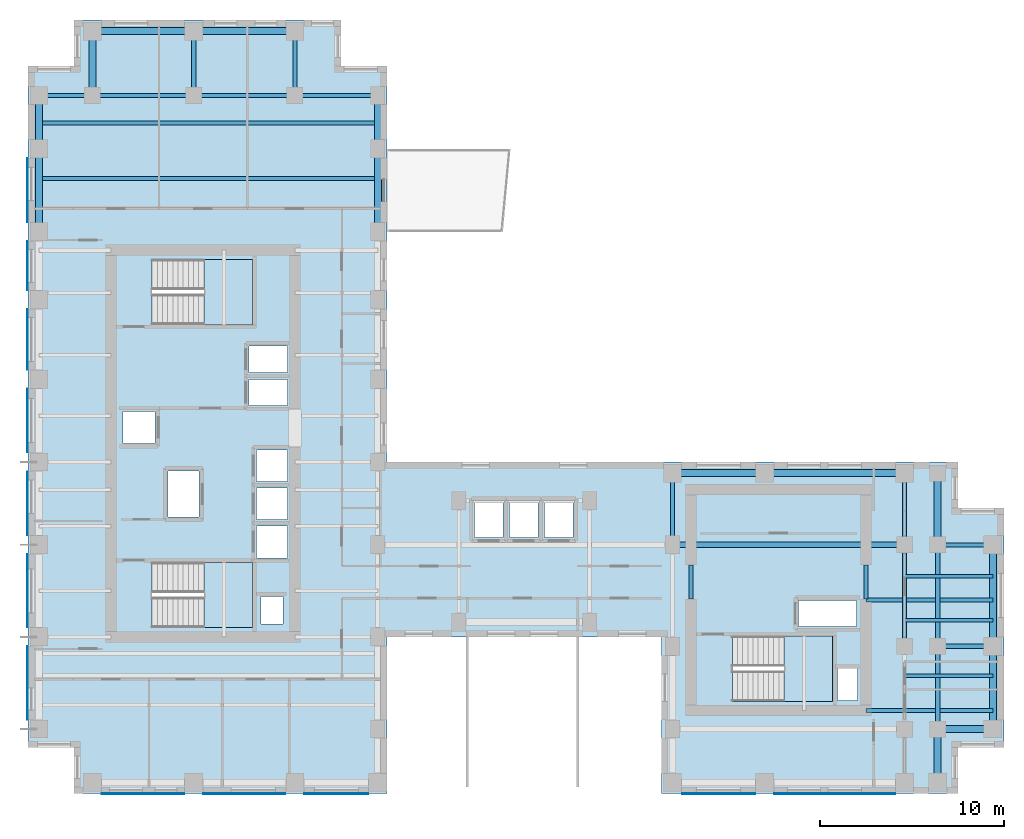
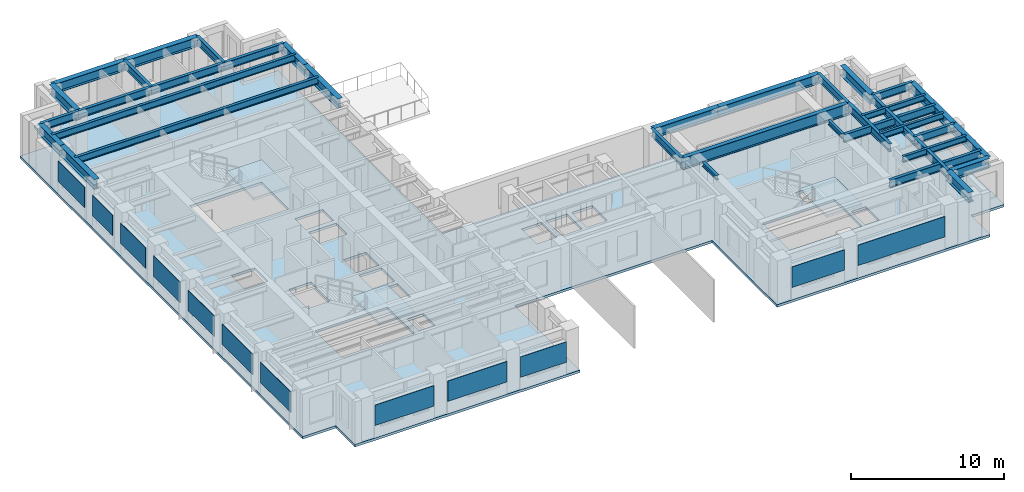
# One storey, part 2 of 11: 37 beams, 12 plates, 4 slabs, 3 elements without a shape of their own.
"""IFC4 building model written with IfcOpenShell, lengths in metres."""

from ifc_helpers import new_model, si_unit, direction, frame, origin, origin_2d, place, context, subcontext, project, spatial, polyline, rectangle, i_section, outline, extrude, source, transform, mapped, material, layer, layer_set, material_profile, profile_set, type_object, element, aggregate, save


model = new_model("IFC4")

# Units and contexts
model_context = context("Model", 3, precision=1e-05, world=origin(), true_north=direction((0.0, 1.0)))
body_context = subcontext(model_context, "Body", "Model", "MODEL_VIEW")
ifc_project = project(units=[si_unit("LENGTHUNIT", "METRE"), si_unit("AREAUNIT", "SQUARE_METRE"), si_unit("VOLUMEUNIT", "CUBIC_METRE"), si_unit("PLANEANGLEUNIT", "RADIAN"), si_unit("MASSUNIT", "GRAM", prefix="KILO")], contexts=[model_context])

# Site, building, storey
site_placement = place(None, origin())
site = spatial("IfcSite", under=ifc_project, at=site_placement, CompositionType="ELEMENT")
building_placement = place(site_placement, origin())
building = spatial("IfcBuilding", under=site, at=building_placement, Name="Kharzan Plaza Tower", CompositionType="ELEMENT")
storey_placement = place(building_placement, frame((0.0, 0.0, 200.699951171875)))
storey = spatial("IfcBuildingStorey", under=building, at=storey_placement, Name="L54", CompositionType="ELEMENT", Elevation=200.699951171875)

# Beams
ifc_material_1 = material(Name="Steel S355", Category="steel")
ifc_material_profile_1 = material_profile(ifc_material_1, i_section(OverallWidth=0.205078125, OverallDepth=0.35400390625, WebThickness=0.009521484375, FlangeThickness=0.016845703125, at=origin_2d()), Name="W360x79")
ifc_profile_set_1 = profile_set([ifc_material_profile_1], Name="Steel S355")
beam_type_1 = type_object("IfcBeamType", Name="BM-LNT360", PredefinedType="LINTEL", material=ifc_profile_set_1)
shared_shape_1 = source(origin(), body_context, "Body", "SweptSolid", [
    extrude(i_section(OverallWidth=0.205078125, OverallDepth=0.35400390625, WebThickness=0.009521484375, FlangeThickness=0.016845703125, at=origin_2d()), origin(), (0.0, 0.0, 1.0), 1.849853515625),
])
for number, where, z_axis, x_axis, name in (
    (1, (45.5, 10.550048828125, 3.22314453125), (0.0, 1.0, 0.0), (-1.0, 0.0, 0.0), "L54 CORE-B coupling lintel LN1-WE"),
    (2, (36.0, 10.550048828125, 3.22314453125), (0.0, 1.0, 0.0), (-1.0, 0.0, 0.0), "L54 CORE-B coupling lintel LN1-WW"),
):
    element("IfcBeam", number, at=place(storey_placement, frame(where, z_axis=z_axis, x_axis=x_axis)), inside=storey, type_object=beam_type_1, Name=name, PredefinedType="LINTEL", context=body_context, shape_type="MappedRepresentation", body=[
        mapped(shared_shape_1, transform((0.0, 0.0, 0.0), x_axis=(1.0, 0.0, 0.0), y_axis=(0.0, 1.0, 0.0), z_axis=(0.0, 0.0, 1.0))),
    ])
ifc_material_profile_2 = material_profile(ifc_material_1, i_section(OverallWidth=0.304931640625, OverallDepth=0.9189453125, WebThickness=0.017333984375, FlangeThickness=0.02783203125, at=origin_2d()), Name="W920x253")
ifc_profile_set_2 = profile_set([ifc_material_profile_2], Name="Steel S355")
beam_type_2 = type_object("IfcBeamType", Name="BM-FG920B", PredefinedType="BEAM", material=ifc_profile_set_2)
shared_shape_2 = source(origin(), body_context, "Body", "SweptSolid", [
    extrude(i_section(OverallWidth=0.304931640625, OverallDepth=0.9189453125, WebThickness=0.017333984375, FlangeThickness=0.02783203125, at=origin_2d()), origin(), (0.0, 0.0, 1.0), 12.60009765625),
])
beam_1_placement = place(storey_placement, frame((35.0, 13.5, 2.9404296875), z_axis=(1.0, 0.0, 0.0), x_axis=(0.0, 1.0, 0.0)))
element("IfcBeam", 3, at=beam_1_placement, inside=storey, type_object=beam_type_2, Name="L54 Primary Floor Girder", PredefinedType="BEAM", context=body_context, shape_type="MappedRepresentation", body=[
    mapped(shared_shape_2, transform((0.0, 0.0, 0.0), x_axis=(1.0, 0.0, 0.0), y_axis=(0.0, 1.0, 0.0), z_axis=(0.0, 0.0, 1.0))),
])
ifc_material_profile_3 = material_profile(ifc_material_1, i_section(OverallWidth=0.2099609375, OverallDepth=0.537109375, WebThickness=0.010986328125, FlangeThickness=0.017333984375, at=origin_2d()), Name="W530x101")
ifc_profile_set_3 = profile_set([ifc_material_profile_3], Name="Steel S355")
beam_type_3 = type_object("IfcBeamType", Name="BM-JST530B", PredefinedType="JOIST", material=ifc_profile_set_3)
shared_shape_3 = source(origin(), body_context, "Body", "SweptSolid", [
    extrude(i_section(OverallWidth=0.2099609375, OverallDepth=0.537109375, WebThickness=0.010986328125, FlangeThickness=0.017333984375, at=origin_2d()), origin(), (0.0, 0.0, 1.0), 18.39990234375),
])
for number, where, z_axis, x_axis, name in (
    (4, (0.60009765625, 33.39990234375, 3.131591796875), (1.0, 0.0, 0.0), (0.0, 1.0, 0.0), "L54 Wing A Composite Joist 05"),
    (5, (0.60009765625, 36.39990234375, 3.131591796875), (1.0, 0.0, 0.0), (0.0, 1.0, 0.0), "L54 Wing A Composite Joist 06"),
):
    element("IfcBeam", number, at=place(storey_placement, frame(where, z_axis=z_axis, x_axis=x_axis)), inside=storey, type_object=beam_type_3, Name=name, PredefinedType="JOIST", context=body_context, shape_type="MappedRepresentation", body=[
        mapped(shared_shape_3, transform((0.0, 0.0, 0.0), x_axis=(1.0, 0.0, 0.0), y_axis=(0.0, 1.0, 0.0), z_axis=(0.0, 0.0, 1.0))),
    ])
ifc_material_profile_4 = material_profile(ifc_material_1, i_section(OverallWidth=0.22900390625, OverallDepth=0.612060546875, WebThickness=0.011962890625, FlangeThickness=0.01953125, at=origin_2d()), Name="W610x125")
ifc_profile_set_4 = profile_set([ifc_material_profile_4], Name="Steel S355")
beam_type_4 = type_object("IfcBeamType", Name="BM-FG610B", PredefinedType="BEAM", material=ifc_profile_set_4)
shared_shape_4 = source(origin(), body_context, "Body", "SweptSolid", [
    extrude(i_section(OverallWidth=0.22900390625, OverallDepth=0.612060546875, WebThickness=0.011962890625, FlangeThickness=0.01953125, at=origin_2d()), origin(), (0.0, 0.0, 1.0), 4.5),
])
for number, where, z_axis, x_axis, name in (
    (6, (49.39990234375, 3.5, 3.093994140625), (0.0, 1.0, 0.0), (-1.0, 0.0, 0.0), "L54 Interior Frame Girder"),
    (7, (14.5, 37.89990234375, 3.093994140625), (1.0, 0.0, 0.0), (0.0, 1.0, 0.0), "L54 Primary Floor Girder"),
):
    element("IfcBeam", number, at=place(storey_placement, frame(where, z_axis=z_axis, x_axis=x_axis)), inside=storey, type_object=beam_type_4, Name=name, PredefinedType="BEAM", context=body_context, shape_type="MappedRepresentation", body=[
        mapped(shared_shape_4, transform((0.0, 0.0, 0.0), x_axis=(1.0, 0.0, 0.0), y_axis=(0.0, 1.0, 0.0), z_axis=(0.0, 0.0, 1.0))),
    ])
shared_shape_5 = source(origin(), body_context, "Body", "SweptSolid", [
    extrude(i_section(OverallWidth=0.22900390625, OverallDepth=0.612060546875, WebThickness=0.011962890625, FlangeThickness=0.01953125, at=origin_2d()), origin(), (0.0, 0.0, 1.0), 3.89990234375),
])
for number, where, z_axis, x_axis, name in (
    (8, (35.0, 13.5, 3.093994140625), (0.0, 1.0, 0.0), (-1.0, 0.0, 0.0), "L54 Interior Frame Girder"),
    (9, (47.60009765625, 13.5, 3.093994140625), (0.0, 1.0, 0.0), (-1.0, 0.0, 0.0), "L54 Interior Frame Girder"),
):
    element("IfcBeam", number, at=place(storey_placement, frame(where, z_axis=z_axis, x_axis=x_axis)), inside=storey, type_object=beam_type_4, Name=name, PredefinedType="BEAM", context=body_context, shape_type="MappedRepresentation", body=[
        mapped(shared_shape_5, transform((0.0, 0.0, 0.0), x_axis=(1.0, 0.0, 0.0), y_axis=(0.0, 1.0, 0.0), z_axis=(0.0, 0.0, 1.0))),
    ])
shared_shape_6 = source(origin(), body_context, "Body", "SweptSolid", [
    extrude(i_section(OverallWidth=0.22900390625, OverallDepth=0.612060546875, WebThickness=0.011962890625, FlangeThickness=0.01953125, at=origin_2d()), origin(), (0.0, 0.0, 1.0), 6.89990234375),
])
for number, where, z_axis, x_axis, name in (
    (10, (45.5, 4.5, 3.093994140625), (1.0, 0.0, 0.0), (0.0, 1.0, 0.0), "L54 Core-B East Floor Girder 1"),
    (11, (45.5, 10.5, 3.093994140625), (1.0, 0.0, 0.0), (0.0, 1.0, 0.0), "L54 Core-B East Floor Girder 2"),
):
    element("IfcBeam", number, at=place(storey_placement, frame(where, z_axis=z_axis, x_axis=x_axis)), inside=storey, type_object=beam_type_4, Name=name, PredefinedType="BEAM", context=body_context, shape_type="MappedRepresentation", body=[
        mapped(shared_shape_6, transform((0.0, 0.0, 0.0), x_axis=(1.0, 0.0, 0.0), y_axis=(0.0, 1.0, 0.0), z_axis=(0.0, 0.0, 1.0))),
    ])
shared_shape_7 = source(origin(), body_context, "Body", "SweptSolid", [
    extrude(i_section(OverallWidth=0.22900390625, OverallDepth=0.612060546875, WebThickness=0.011962890625, FlangeThickness=0.01953125, at=origin_2d()), origin(), (0.0, 0.0, 1.0), 3.5),
])
for number, where, z_axis, x_axis, name in (
    (12, (9.0, 37.89990234375, 3.093994140625), (0.0, 1.0, 0.0), (-1.0, 0.0, 0.0), "L54 Interior Frame Girder"),
    (13, (14.5, 37.89990234375, 3.093994140625), (0.0, 1.0, 0.0), (-1.0, 0.0, 0.0), "L54 Interior Frame Girder"),
):
    element("IfcBeam", number, at=place(storey_placement, frame(where, z_axis=z_axis, x_axis=x_axis)), inside=storey, type_object=beam_type_4, Name=name, PredefinedType="BEAM", context=body_context, shape_type="MappedRepresentation", body=[
        mapped(shared_shape_7, transform((0.0, 0.0, 0.0), x_axis=(1.0, 0.0, 0.0), y_axis=(0.0, 1.0, 0.0), z_axis=(0.0, 0.0, 1.0))),
    ])
shared_shape_8 = source(origin(), body_context, "Body", "SweptSolid", [
    extrude(i_section(OverallWidth=0.22900390625, OverallDepth=0.612060546875, WebThickness=0.011962890625, FlangeThickness=0.01953125, at=origin_2d()), origin(), (0.0, 0.0, 1.0), 5.5),
])
for number, where, z_axis, x_axis, name in (
    (14, (47.60009765625, 8.0, 3.093994140625), (0.0, 1.0, 0.0), (-1.0, 0.0, 0.0), "L54 Interior Frame Girder"),
    (15, (49.39990234375, 8.0, 3.093994140625), (0.0, 1.0, 0.0), (-1.0, 0.0, 0.0), "L54 Interior Frame Girder"),
    (16, (3.5, 37.89990234375, 3.093994140625), (1.0, 0.0, 0.0), (0.0, 1.0, 0.0), "L54 Primary Floor Girder"),
    (17, (9.0, 37.89990234375, 3.093994140625), (1.0, 0.0, 0.0), (0.0, 1.0, 0.0), "L54 Primary Floor Girder"),
):
    element("IfcBeam", number, at=place(storey_placement, frame(where, z_axis=z_axis, x_axis=x_axis)), inside=storey, type_object=beam_type_4, Name=name, PredefinedType="BEAM", context=body_context, shape_type="MappedRepresentation", body=[
        mapped(shared_shape_8, transform((0.0, 0.0, 0.0), x_axis=(1.0, 0.0, 0.0), y_axis=(0.0, 1.0, 0.0), z_axis=(0.0, 0.0, 1.0))),
    ])
shared_shape_9 = source(origin(), body_context, "Body", "SweptSolid", [
    extrude(i_section(OverallWidth=0.22900390625, OverallDepth=0.612060546875, WebThickness=0.011962890625, FlangeThickness=0.01953125, at=origin_2d()), origin(), (0.0, 0.0, 1.0), 2.89990234375),
])
beam_2_placement = place(storey_placement, frame((0.60009765625, 37.89990234375, 3.093994140625), z_axis=(1.0, 0.0, 0.0), x_axis=(0.0, 1.0, 0.0)))
element("IfcBeam", 18, at=beam_2_placement, inside=storey, type_object=beam_type_4, Name="L54 Primary Floor Girder", PredefinedType="BEAM", context=body_context, shape_type="MappedRepresentation", body=[
    mapped(shared_shape_9, transform((0.0, 0.0, 0.0), x_axis=(1.0, 0.0, 0.0), y_axis=(0.0, 1.0, 0.0), z_axis=(0.0, 0.0, 1.0))),
])
shared_shape_10 = source(origin(), body_context, "Body", "SweptSolid", [
    extrude(i_section(OverallWidth=0.22900390625, OverallDepth=0.612060546875, WebThickness=0.011962890625, FlangeThickness=0.01953125, at=origin_2d()), origin(), (0.0, 0.0, 1.0), 3.0),
])
for number, where, z_axis, x_axis, name in (
    (19, (49.39990234375, 8.0, 3.093994140625), (1.0, 0.0, 0.0), (0.0, 1.0, 0.0), "L54 Primary Floor Girder"),
    (20, (49.39990234375, 13.5, 3.093994140625), (1.0, 0.0, 0.0), (0.0, 1.0, 0.0), "L54 Primary Floor Girder"),
):
    element("IfcBeam", number, at=place(storey_placement, frame(where, z_axis=z_axis, x_axis=x_axis)), inside=storey, type_object=beam_type_4, Name=name, PredefinedType="BEAM", context=body_context, shape_type="MappedRepresentation", body=[
        mapped(shared_shape_10, transform((0.0, 0.0, 0.0), x_axis=(1.0, 0.0, 0.0), y_axis=(0.0, 1.0, 0.0), z_axis=(0.0, 0.0, 1.0))),
    ])
ifc_material_profile_5 = material_profile(ifc_material_1, i_section(OverallWidth=0.194091796875, OverallDepth=0.468994140625, WebThickness=0.011474609375, FlangeThickness=0.0205078125, at=origin_2d()), Name="W460x106")
ifc_profile_set_5 = profile_set([ifc_material_profile_5], Name="Steel S355")
beam_type_5 = type_object("IfcBeamType", Name="BM-JST460", PredefinedType="JOIST", material=ifc_profile_set_5)
shared_shape_11 = source(origin(), body_context, "Body", "SweptSolid", [
    extrude(i_section(OverallWidth=0.194091796875, OverallDepth=0.468994140625, WebThickness=0.011474609375, FlangeThickness=0.0205078125, at=origin_2d()), origin(), (0.0, 0.0, 1.0), 4.7998046875),
])
for number, where, z_axis, x_axis, name in (
    (21, (47.60009765625, 6.39990234375, 3.16552734375), (1.0, 0.0, 0.0), (0.0, 1.0, 0.0), "L54 Wing B Composite Joist 02"),
    (22, (47.60009765625, 9.39990234375, 3.16552734375), (1.0, 0.0, 0.0), (0.0, 1.0, 0.0), "L54 Wing B Composite Joist 03"),
    (23, (47.60009765625, 11.800048828125, 3.16552734375), (1.0, 0.0, 0.0), (0.0, 1.0, 0.0), "L54 Wing B Composite Joist 04"),
):
    element("IfcBeam", number, at=place(storey_placement, frame(where, z_axis=z_axis, x_axis=x_axis)), inside=storey, type_object=beam_type_5, Name=name, PredefinedType="JOIST", context=body_context, shape_type="MappedRepresentation", body=[
        mapped(shared_shape_11, transform((0.0, 0.0, 0.0), x_axis=(1.0, 0.0, 0.0), y_axis=(0.0, 1.0, 0.0), z_axis=(0.0, 0.0, 1.0))),
    ])
ifc_material_profile_6 = material_profile(ifc_material_1, i_section(OverallWidth=0.381103515625, OverallDepth=0.77294921875, WebThickness=0.0166015625, FlangeThickness=0.027587890625, at=origin_2d()), Name="W760x257")
ifc_profile_set_6 = profile_set([ifc_material_profile_6], Name="Steel S355")
beam_type_6 = type_object("IfcBeamType", Name="BM-SP760A", PredefinedType="SPANDREL", material=ifc_profile_set_6)
shared_shape_12 = source(origin(), body_context, "Body", "SweptSolid", [
    extrude(i_section(OverallWidth=0.381103515625, OverallDepth=0.77294921875, WebThickness=0.0166015625, FlangeThickness=0.027587890625, at=origin_2d()), origin(), (0.0, 0.0, 1.0), 5.0),
])
beam_3_placement = place(storey_placement, frame((35.0, 17.39990234375, 3.013427734375), z_axis=(1.0, 0.0, 0.0), x_axis=(0.0, 1.0, 0.0)))
element("IfcBeam", 24, at=beam_3_placement, inside=storey, type_object=beam_type_6, Name="L54 Perimeter Tube Spandrel", PredefinedType="SPANDREL", context=body_context, shape_type="MappedRepresentation", body=[
    mapped(shared_shape_12, transform((0.0, 0.0, 0.0), x_axis=(1.0, 0.0, 0.0), y_axis=(0.0, 1.0, 0.0), z_axis=(0.0, 0.0, 1.0))),
])
shared_shape_13 = source(origin(), body_context, "Body", "SweptSolid", [
    extrude(i_section(OverallWidth=0.381103515625, OverallDepth=0.77294921875, WebThickness=0.0166015625, FlangeThickness=0.027587890625, at=origin_2d()), origin(), (0.0, 0.0, 1.0), 4.5),
])
for number, where, z_axis, x_axis, name in (
    (25, (0.60009765625, 30.5, 3.013427734375), (0.0, 1.0, 0.0), (-1.0, 0.0, 0.0), "L54 Perimeter Tube Spandrel"),
    (26, (19.0, 30.5, 3.013427734375), (0.0, 1.0, 0.0), (-1.0, 0.0, 0.0), "L54 Perimeter Tube Spandrel"),
    (27, (52.39990234375, 3.5, 3.013427734375), (0.0, 1.0, 0.0), (-1.0, 0.0, 0.0), "L54 Perimeter Tube Spandrel"),
):
    element("IfcBeam", number, at=place(storey_placement, frame(where, z_axis=z_axis, x_axis=x_axis)), inside=storey, type_object=beam_type_6, Name=name, PredefinedType="SPANDREL", context=body_context, shape_type="MappedRepresentation", body=[
        mapped(shared_shape_13, transform((0.0, 0.0, 0.0), x_axis=(1.0, 0.0, 0.0), y_axis=(0.0, 1.0, 0.0), z_axis=(0.0, 0.0, 1.0))),
    ])
shared_shape_14 = source(origin(), body_context, "Body", "SweptSolid", [
    extrude(i_section(OverallWidth=0.381103515625, OverallDepth=0.77294921875, WebThickness=0.0166015625, FlangeThickness=0.027587890625, at=origin_2d()), origin(), (0.0, 0.0, 1.0), 2.89990234375),
])
for number, where, z_axis, x_axis, name in (
    (28, (0.60009765625, 35.0, 3.013427734375), (0.0, 1.0, 0.0), (-1.0, 0.0, 0.0), "L54 Perimeter Tube Spandrel"),
    (29, (19.0, 35.0, 3.013427734375), (0.0, 1.0, 0.0), (-1.0, 0.0, 0.0), "L54 Perimeter Tube Spandrel"),
    (30, (49.39990234375, 0.60009765625, 3.013427734375), (0.0, 1.0, 0.0), (-1.0, 0.0, 0.0), "L54 Perimeter Tube Spandrel"),
):
    element("IfcBeam", number, at=place(storey_placement, frame(where, z_axis=z_axis, x_axis=x_axis)), inside=storey, type_object=beam_type_6, Name=name, PredefinedType="SPANDREL", context=body_context, shape_type="MappedRepresentation", body=[
        mapped(shared_shape_14, transform((0.0, 0.0, 0.0), x_axis=(1.0, 0.0, 0.0), y_axis=(0.0, 1.0, 0.0), z_axis=(0.0, 0.0, 1.0))),
    ])
shared_shape_15 = source(origin(), body_context, "Body", "SweptSolid", [
    extrude(i_section(OverallWidth=0.381103515625, OverallDepth=0.77294921875, WebThickness=0.0166015625, FlangeThickness=0.027587890625, at=origin_2d()), origin(), (0.0, 0.0, 1.0), 3.5),
])
beam_4_placement = place(storey_placement, frame((3.5, 37.89990234375, 3.013427734375), z_axis=(0.0, 1.0, 0.0), x_axis=(-1.0, 0.0, 0.0)))
element("IfcBeam", 31, at=beam_4_placement, inside=storey, type_object=beam_type_6, Name="L54 Perimeter Tube Spandrel", PredefinedType="SPANDREL", context=body_context, shape_type="MappedRepresentation", body=[
    mapped(shared_shape_15, transform((0.0, 0.0, 0.0), x_axis=(1.0, 0.0, 0.0), y_axis=(0.0, 1.0, 0.0), z_axis=(0.0, 0.0, 1.0))),
])
shared_shape_16 = source(origin(), body_context, "Body", "SweptSolid", [
    extrude(i_section(OverallWidth=0.381103515625, OverallDepth=0.77294921875, WebThickness=0.0166015625, FlangeThickness=0.027587890625, at=origin_2d()), origin(), (0.0, 0.0, 1.0), 3.89990234375),
])
beam_5_placement = place(storey_placement, frame((49.39990234375, 13.5, 3.013427734375), z_axis=(0.0, 1.0, 0.0), x_axis=(-1.0, 0.0, 0.0)))
element("IfcBeam", 32, at=beam_5_placement, inside=storey, type_object=beam_type_6, Name="L54 Perimeter Tube Spandrel", PredefinedType="SPANDREL", context=body_context, shape_type="MappedRepresentation", body=[
    mapped(shared_shape_16, transform((0.0, 0.0, 0.0), x_axis=(1.0, 0.0, 0.0), y_axis=(0.0, 1.0, 0.0), z_axis=(0.0, 0.0, 1.0))),
])
shared_shape_17 = source(origin(), body_context, "Body", "SweptSolid", [
    extrude(i_section(OverallWidth=0.381103515625, OverallDepth=0.77294921875, WebThickness=0.0166015625, FlangeThickness=0.027587890625, at=origin_2d()), origin(), (0.0, 0.0, 1.0), 5.5),
])
for number, where, z_axis, x_axis, name in (
    (33, (52.39990234375, 8.0, 3.013427734375), (0.0, 1.0, 0.0), (-1.0, 0.0, 0.0), "L54 Perimeter Tube Spandrel"),
    (34, (3.5, 41.39990234375, 3.013427734375), (1.0, 0.0, 0.0), (0.0, 1.0, 0.0), "L54 Perimeter Tube Spandrel"),
    (35, (9.0, 41.39990234375, 3.013427734375), (1.0, 0.0, 0.0), (0.0, 1.0, 0.0), "L54 Perimeter Tube Spandrel"),
):
    element("IfcBeam", number, at=place(storey_placement, frame(where, z_axis=z_axis, x_axis=x_axis)), inside=storey, type_object=beam_type_6, Name=name, PredefinedType="SPANDREL", context=body_context, shape_type="MappedRepresentation", body=[
        mapped(shared_shape_17, transform((0.0, 0.0, 0.0), x_axis=(1.0, 0.0, 0.0), y_axis=(0.0, 1.0, 0.0), z_axis=(0.0, 0.0, 1.0))),
    ])
shared_shape_18 = source(origin(), body_context, "Body", "SweptSolid", [
    extrude(i_section(OverallWidth=0.381103515625, OverallDepth=0.77294921875, WebThickness=0.0166015625, FlangeThickness=0.027587890625, at=origin_2d()), origin(), (0.0, 0.0, 1.0), 7.60009765625),
])
beam_6_placement = place(storey_placement, frame((40.0, 17.39990234375, 3.013427734375), z_axis=(1.0, 0.0, 0.0), x_axis=(0.0, 1.0, 0.0)))
element("IfcBeam", 36, at=beam_6_placement, inside=storey, type_object=beam_type_6, Name="L54 Perimeter Tube Spandrel", PredefinedType="SPANDREL", context=body_context, shape_type="MappedRepresentation", body=[
    mapped(shared_shape_18, transform((0.0, 0.0, 0.0), x_axis=(1.0, 0.0, 0.0), y_axis=(0.0, 1.0, 0.0), z_axis=(0.0, 0.0, 1.0))),
])
shared_shape_19 = source(origin(), body_context, "Body", "SweptSolid", [
    extrude(i_section(OverallWidth=0.381103515625, OverallDepth=0.77294921875, WebThickness=0.0166015625, FlangeThickness=0.027587890625, at=origin_2d()), origin(), (0.0, 0.0, 1.0), 3.0),
])
beam_7_placement = place(storey_placement, frame((49.39990234375, 3.5, 3.013427734375), z_axis=(1.0, 0.0, 0.0), x_axis=(0.0, 1.0, 0.0)))
element("IfcBeam", 37, at=beam_7_placement, inside=storey, type_object=beam_type_6, Name="L54 Perimeter Tube Spandrel", PredefinedType="SPANDREL", context=body_context, shape_type="MappedRepresentation", body=[
    mapped(shared_shape_19, transform((0.0, 0.0, 0.0), x_axis=(1.0, 0.0, 0.0), y_axis=(0.0, 1.0, 0.0), z_axis=(0.0, 0.0, 1.0))),
])

# Slab
ifc_material_2 = material(Name="Concrete C40/50", Category="concrete")
ifc_layer_1 = layer(ifc_material_2, 0.199951171875)
ifc_layer_set_1 = layer_set([ifc_layer_1], Name="Concrete C40/50")
slab_type_1 = type_object("IfcSlabType", Name="SL-FLOOR-200", PredefinedType="FLOOR", material=ifc_layer_set_1)
slab_1_placement = place(storey_placement, frame((0.0, 0.0, -0.199951171875)))
element("IfcSlab", 38, at=slab_1_placement, inside=storey, type_object=slab_type_1, Name="L54 Composite Structural Floor Slab 200 mm", PredefinedType="FLOOR", context=body_context, shape_type="SweptSolid", body=[
    extrude(outline(polyline([(34.39990234375, 18.0), (19.5, 18.0), (19.5, 39.5), (17.0, 39.5), (17.0, 42.0), (2.5, 42.0), (2.5, 39.5), (0.0, 39.5), (0.0, 2.5), (2.5, 2.5), (2.5, 0.0), (19.5, 0.0), (19.5, 8.5), (34.39990234375, 8.5), (34.39990234375, 0.0), (50.5, 0.0), (50.5, 2.5), (53.0, 2.5), (53.0, 15.5), (50.5, 15.5), (50.5, 18.0), (34.39990234375, 18.0)]), holes=[polyline([(12.199951171875, 9.0), (12.199951171875, 12.550048828125), (6.75, 12.550048828125), (6.75, 9.0), (12.199951171875, 9.0)]), polyline([(14.10009765625, 12.800048828125), (14.10009765625, 14.530029296875), (12.39990234375, 14.530029296875), (12.39990234375, 12.800048828125), (14.10009765625, 12.800048828125)]), polyline([(14.10009765625, 14.8701171875), (14.10009765625, 16.60009765625), (12.39990234375, 16.60009765625), (12.39990234375, 14.8701171875), (14.10009765625, 14.8701171875)]), polyline([(9.300048828125, 15.0), (9.300048828125, 17.5), (7.60009765625, 17.5), (7.60009765625, 15.0), (9.300048828125, 15.0)]), polyline([(6.89990234375, 19.010009765625), (6.89990234375, 20.72998046875), (5.14990234375, 20.72998046875), (5.14990234375, 19.010009765625), (6.89990234375, 19.010009765625)]), polyline([(14.10009765625, 21.070068359375), (14.10009765625, 22.489990234375), (12.0, 22.489990234375), (12.0, 21.070068359375), (14.10009765625, 21.070068359375)]), polyline([(14.10009765625, 22.8701171875), (14.10009765625, 24.2900390625), (12.0, 24.2900390625), (12.0, 22.8701171875), (14.10009765625, 22.8701171875)]), polyline([(12.199951171875, 25.449951171875), (12.199951171875, 29.0), (6.75, 29.0), (6.75, 25.449951171875), (12.199951171875, 25.449951171875)]), polyline([(45.050048828125, 5.050048828125), (45.050048828125, 6.800048828125), (43.949951171875, 6.800048828125), (43.949951171875, 5.050048828125), (45.050048828125, 5.050048828125)]), polyline([(43.699951171875, 5.0), (43.699951171875, 8.550048828125), (38.25, 8.550048828125), (38.25, 5.0), (43.699951171875, 5.0)]), polyline([(45.0, 9.070068359375), (45.0, 10.469970703125), (41.85009765625, 10.469970703125), (41.85009765625, 9.070068359375), (45.0, 9.070068359375)]), polyline([(13.85009765625, 9.199951171875), (13.85009765625, 10.699951171875), (12.64990234375, 10.699951171875), (12.64990234375, 9.199951171875), (13.85009765625, 9.199951171875)]), polyline([(25.800048828125, 13.89990234375), (25.800048828125, 15.85009765625), (24.25, 15.85009765625), (24.25, 13.89990234375), (25.800048828125, 13.89990234375)]), polyline([(27.699951171875, 13.89990234375), (27.699951171875, 15.85009765625), (26.14990234375, 15.85009765625), (26.14990234375, 13.89990234375), (27.699951171875, 13.89990234375)]), polyline([(29.60009765625, 13.89990234375), (29.60009765625, 15.85009765625), (28.050048828125, 15.85009765625), (28.050048828125, 13.89990234375), (29.60009765625, 13.89990234375)]), polyline([(14.10009765625, 16.93994140625), (14.10009765625, 18.64990234375), (12.39990234375, 18.64990234375), (12.39990234375, 16.93994140625), (14.10009765625, 16.93994140625)])]), origin(), (0.0, 0.0, 1.0), 0.199951171875),
])

# Stair, slab
stair_type_1 = type_object("IfcStairType", Name="STR-ST-1", PredefinedType="HALF_TURN_STAIR", material=ifc_material_2)
stair_1_placement = place(storey_placement, origin())
stair_1 = element("IfcStair", 39, at=stair_1_placement, inside=storey, type_object=stair_type_1, Name="L54 Protected Exit Stair ST-1", PredefinedType="HALF_TURN_STAIR")
ifc_layer_2 = layer(ifc_material_2, 0.219970703125)
ifc_layer_set_2 = layer_set([ifc_layer_2], Name="Concrete C40/50")
slab_type_2 = type_object("IfcSlabType", Name="SL-LANDING-220", PredefinedType="LANDING", material=ifc_layer_set_2)
slab_2_placement = place(storey_placement, frame((0.0, 0.0, 1.60009765625)))
slab_2 = element("IfcSlab", 40, at=slab_2_placement, type_object=slab_type_2, Name="ST-1 landing 1", PredefinedType="LANDING", context=body_context, shape_type="SweptSolid", body=[
    extrude(outline(polyline([(9.550048828125, 9.0), (12.199951171875, 9.0), (12.199951171875, 12.550048828125), (9.550048828125, 12.550048828125), (9.550048828125, 9.0)])), origin(), (0.0, 0.0, 1.0), 0.199951171875),
])
aggregate(stair_1, [slab_2])

stair_type_2 = type_object("IfcStairType", Name="STR-ST-2", PredefinedType="HALF_TURN_STAIR", material=ifc_material_2)
stair_2_placement = place(storey_placement, origin())
stair_2 = element("IfcStair", 41, at=stair_2_placement, inside=storey, type_object=stair_type_2, Name="L54 Protected Exit Stair ST-2", PredefinedType="HALF_TURN_STAIR")
slab_3_placement = place(storey_placement, frame((0.0, 0.0, 1.60009765625)))
slab_3 = element("IfcSlab", 42, at=slab_3_placement, type_object=slab_type_2, Name="ST-2 landing 1", PredefinedType="LANDING", context=body_context, shape_type="SweptSolid", body=[
    extrude(outline(polyline([(9.550048828125, 25.449951171875), (12.199951171875, 25.449951171875), (12.199951171875, 29.0), (9.550048828125, 29.0), (9.550048828125, 25.449951171875)])), origin(), (0.0, 0.0, 1.0), 0.199951171875),
])
aggregate(stair_2, [slab_3])

stair_type_3 = type_object("IfcStairType", Name="STR-ST-3", PredefinedType="HALF_TURN_STAIR", material=ifc_material_2)
stair_3_placement = place(storey_placement, origin())
stair_3 = element("IfcStair", 43, at=stair_3_placement, inside=storey, type_object=stair_type_3, Name="L54 Protected Exit Stair ST-3", PredefinedType="HALF_TURN_STAIR")
slab_4_placement = place(storey_placement, frame((0.0, 0.0, 1.60009765625)))
slab_4 = element("IfcSlab", 44, at=slab_4_placement, type_object=slab_type_2, Name="ST-3 landing 1", PredefinedType="LANDING", context=body_context, shape_type="SweptSolid", body=[
    extrude(outline(polyline([(41.050048828125, 5.0), (43.699951171875, 5.0), (43.699951171875, 8.550048828125), (41.050048828125, 8.550048828125), (41.050048828125, 5.0)])), origin(), (0.0, 0.0, 1.0), 0.199951171875),
])
aggregate(stair_3, [slab_4])

# Plates
ifc_material_3 = material(Name="Perforated Bronze-Anodized Aluminium", Category="aluminium")
ifc_layer_3 = layer(ifc_material_3, 0.030029296875)
ifc_layer_set_3 = layer_set([ifc_layer_3], Name="Perforated Bronze-Anodized Aluminium")
plate_type = type_object("IfcPlateType", Name="PLT-MASH-SCREEN", PredefinedType="SHEET", material=ifc_layer_set_3)
shared_shape_20 = source(origin(), body_context, "Body", "SweptSolid", [
    extrude(rectangle(XDim=3.464111328125, YDim=0.030029296875, at=origin_2d()), origin(), (0.0, 0.0, 1.0), 1.632080078125),
])
for number, where, z_axis, x_axis, name in (
    (45, (-0.012939453125, 32.75, 1.01416015625), (0.0, 0.0, 1.0), (0.0, -1.0, 0.0), "L54 Perforated Mashrabiya Solar Screen"),
    (46, (-0.012939453125, 20.25, 1.01416015625), (0.0, 0.0, 1.0), (0.0, -1.0, 0.0), "L54 Perforated Mashrabiya Solar Screen"),
    (47, (-0.012939453125, 15.75, 1.01416015625), (0.0, 0.0, 1.0), (0.0, -1.0, 0.0), "L54 Perforated Mashrabiya Solar Screen"),
    (48, (16.75, -0.012939453125, 1.01416015625), (0.0, 0.0, 1.0), (1.0, 0.0, 0.0), "L54 Perforated Mashrabiya Solar Screen"),
):
    element("IfcPlate", number, at=place(storey_placement, frame(where, z_axis=z_axis, x_axis=x_axis)), inside=storey, type_object=plate_type, Name=name, PredefinedType="SHEET", context=body_context, shape_type="MappedRepresentation", body=[
        mapped(shared_shape_20, transform((0.0, 0.0, 0.0), x_axis=(1.0, 0.0, 0.0), y_axis=(0.0, 1.0, 0.0), z_axis=(0.0, 0.0, 1.0))),
    ])
shared_shape_21 = source(origin(), body_context, "Body", "SweptSolid", [
    extrude(rectangle(XDim=2.6640625, YDim=0.030029296875, at=origin_2d()), origin(), (0.0, 0.0, 1.0), 1.632080078125),
])
plate_1_placement = place(storey_placement, frame((-0.012939453125, 28.64990234375, 1.01416015625), z_axis=(0.0, 0.0, 1.0), x_axis=(0.0, -1.0, 0.0)))
element("IfcPlate", 49, at=plate_1_placement, inside=storey, type_object=plate_type, Name="L54 Perforated Mashrabiya Solar Screen", PredefinedType="SHEET", context=body_context, shape_type="MappedRepresentation", body=[
    mapped(shared_shape_21, transform((0.0, 0.0, 0.0), x_axis=(1.0, 0.0, 0.0), y_axis=(0.0, 1.0, 0.0), z_axis=(0.0, 0.0, 1.0))),
])
shared_shape_22 = source(origin(), body_context, "Body", "SweptSolid", [
    extrude(rectangle(XDim=3.263916015625, YDim=0.030029296875, at=origin_2d()), origin(), (0.0, 0.0, 1.0), 1.632080078125),
])
plate_2_placement = place(storey_placement, frame((-0.012939453125, 24.64990234375, 1.01416015625), z_axis=(0.0, 0.0, 1.0), x_axis=(0.0, -1.0, 0.0)))
element("IfcPlate", 50, at=plate_2_placement, inside=storey, type_object=plate_type, Name="L54 Perforated Mashrabiya Solar Screen", PredefinedType="SHEET", context=body_context, shape_type="MappedRepresentation", body=[
    mapped(shared_shape_22, transform((0.0, 0.0, 0.0), x_axis=(1.0, 0.0, 0.0), y_axis=(0.0, 1.0, 0.0), z_axis=(0.0, 0.0, 1.0))),
])
shared_shape_23 = source(origin(), body_context, "Body", "SweptSolid", [
    extrude(rectangle(XDim=3.964111328125, YDim=0.030029296875, at=origin_2d()), origin(), (0.0, 0.0, 1.0), 1.632080078125),
])
for number, where, z_axis, x_axis, name in (
    (51, (-0.012939453125, 11.0, 1.01416015625), (0.0, 0.0, 1.0), (0.0, -1.0, 0.0), "L54 Perforated Mashrabiya Solar Screen"),
    (52, (-0.012939453125, 6.0, 1.01416015625), (0.0, 0.0, 1.0), (0.0, -1.0, 0.0), "L54 Perforated Mashrabiya Solar Screen"),
    (53, (37.5, -0.012939453125, 1.01416015625), (0.0, 0.0, 1.0), (1.0, 0.0, 0.0), "L54 Perforated Mashrabiya Solar Screen"),
):
    element("IfcPlate", number, at=place(storey_placement, frame(where, z_axis=z_axis, x_axis=x_axis)), inside=storey, type_object=plate_type, Name=name, PredefinedType="SHEET", context=body_context, shape_type="MappedRepresentation", body=[
        mapped(shared_shape_23, transform((0.0, 0.0, 0.0), x_axis=(1.0, 0.0, 0.0), y_axis=(0.0, 1.0, 0.0), z_axis=(0.0, 0.0, 1.0))),
    ])
shared_shape_24 = source(origin(), body_context, "Body", "SweptSolid", [
    extrude(rectangle(XDim=4.464111328125, YDim=0.030029296875, at=origin_2d()), origin(), (0.0, 0.0, 1.0), 1.632080078125),
])
for number, where, z_axis, x_axis, name in (
    (54, (6.25, -0.012939453125, 1.01416015625), (0.0, 0.0, 1.0), (1.0, 0.0, 0.0), "L54 Perforated Mashrabiya Solar Screen"),
    (55, (11.75, -0.012939453125, 1.01416015625), (0.0, 0.0, 1.0), (1.0, 0.0, 0.0), "L54 Perforated Mashrabiya Solar Screen"),
):
    element("IfcPlate", number, at=place(storey_placement, frame(where, z_axis=z_axis, x_axis=x_axis)), inside=storey, type_object=plate_type, Name=name, PredefinedType="SHEET", context=body_context, shape_type="MappedRepresentation", body=[
        mapped(shared_shape_24, transform((0.0, 0.0, 0.0), x_axis=(1.0, 0.0, 0.0), y_axis=(0.0, 1.0, 0.0), z_axis=(0.0, 0.0, 1.0))),
    ])
shared_shape_25 = source(origin(), body_context, "Body", "SweptSolid", [
    extrude(rectangle(XDim=6.56396484375, YDim=0.030029296875, at=origin_2d()), origin(), (0.0, 0.0, 1.0), 1.632080078125),
])
plate_3_placement = place(storey_placement, frame((43.800048828125, -0.012939453125, 1.01416015625), z_axis=(0.0, 0.0, 1.0), x_axis=(1.0, 0.0, 0.0)))
element("IfcPlate", 56, at=plate_3_placement, inside=storey, type_object=plate_type, Name="L54 Perforated Mashrabiya Solar Screen", PredefinedType="SHEET", context=body_context, shape_type="MappedRepresentation", body=[
    mapped(shared_shape_25, transform((0.0, 0.0, 0.0), x_axis=(1.0, 0.0, 0.0), y_axis=(0.0, 1.0, 0.0), z_axis=(0.0, 0.0, 1.0))),
])

save(model, "model.ifc")
